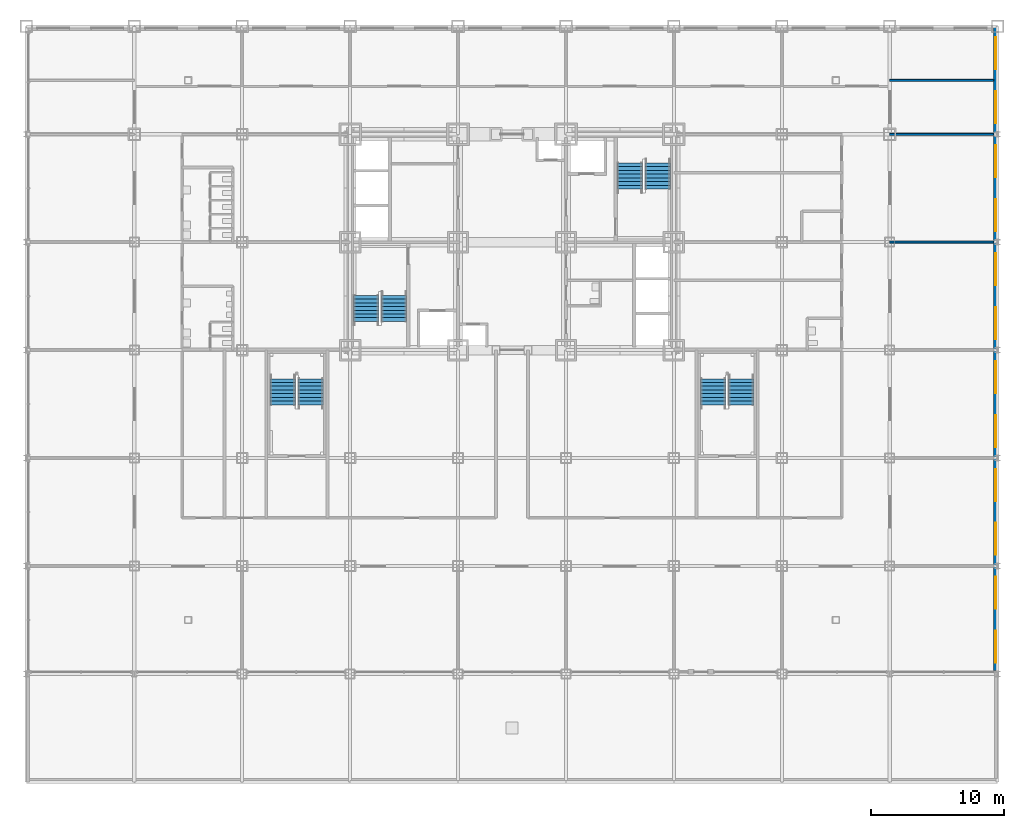
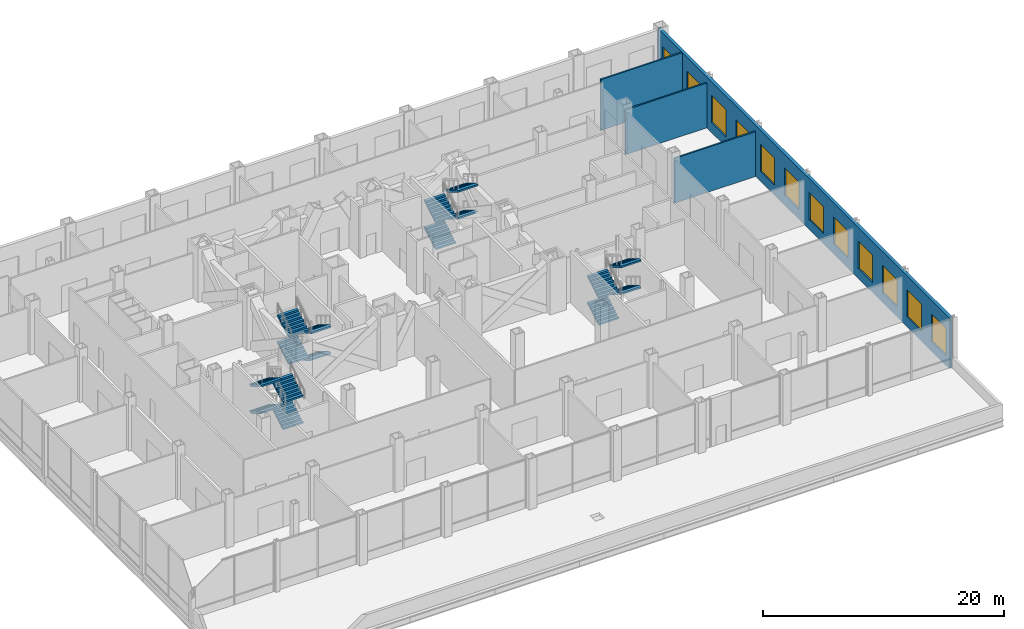
# One storey, part 26 of 29: 16 stair flights, 12 windows, 4 walls, 12 openings, 4 elements without a shape of their own.
"""IFC4 building model written with IfcOpenShell, lengths in metres."""

from ifc_helpers import new_model, si_unit, direction, frame, frame_2d, origin, place, context, subcontext, project, spatial, rectangle, extrude, polygons, source, transform, mapped, material, layer, layer_set, type_object, element, fill, aggregate, save


model = new_model("IFC4")

# Units and contexts
model_context = context("Model", 3, precision=1e-05, world=origin(), true_north=direction((0.0, 1.0)))
body_context = subcontext(model_context, "Body", "Model", "MODEL_VIEW")
ifc_project = project(units=[si_unit("LENGTHUNIT", "METRE"), si_unit("AREAUNIT", "SQUARE_METRE"), si_unit("VOLUMEUNIT", "CUBIC_METRE"), si_unit("PLANEANGLEUNIT", "RADIAN"), si_unit("MASSUNIT", "GRAM", prefix="KILO")], contexts=[model_context])

# Site, building, storey
site_placement = place(None, origin())
site = spatial("IfcSite", under=ifc_project, at=site_placement, CompositionType="ELEMENT")
building_placement = place(site_placement, origin())
building = spatial("IfcBuilding", under=site, at=building_placement, Name="Kopane Lantern Tower", CompositionType="ELEMENT")
storey_placement = place(building_placement, frame((0.0, 0.0, 11.39990234375)))
storey = spatial("IfcBuildingStorey", under=building, at=storey_placement, Name="L02", CompositionType="ELEMENT", Elevation=11.39990234375)

# Walls
ifc_material_1 = material(Name="Gypsum board on steel studs", Category="steel")
ifc_layer_1 = layer(ifc_material_1, 0.14990234375)
ifc_layer_set_1 = layer_set([ifc_layer_1], Name="DEMISING WALL 150 EI 60")
wall_type_1 = type_object("IfcWallType", Name="DEMISING WALL 150 EI 60", PredefinedType="PARTITIONING", material=ifc_layer_set_1)
for number, where, z_axis, x_axis, name in (
    (1, (56.699951171875, 32.39990234375, 0.0), (0.0, 0.0, 1.0), (1.0, 0.0, 0.0), "Demising Wall 150 Ei 60 L02"),
    (2, (56.699951171875, 40.5, 0.0), (0.0, 0.0, 1.0), (1.0, 0.0, 0.0), "Demising Wall 150 Ei 60 L02"),
):
    element("IfcWall", number, at=place(storey_placement, frame(where, z_axis=z_axis, x_axis=x_axis)), inside=storey, type_object=wall_type_1, Name=name, PredefinedType="PARTITIONING", context=body_context, shape_type="SweptSolid", body=[
        extrude(rectangle(XDim=7.800048828125, YDim=0.14990234375, at=frame_2d((3.89990234375, 0.0))), origin(), (0.0, 0.0, 1.0), 4.537841796875),
    ])
wall_1_placement = place(storey_placement, frame((56.699951171875, 44.550048828125, 0.0), z_axis=(0.0, 0.0, 1.0), x_axis=(1.0, 0.0, 0.0)))
element("IfcWall", 3, at=wall_1_placement, inside=storey, type_object=wall_type_1, Name="Demising Wall 150 Ei 60 L02", PredefinedType="PARTITIONING", context=body_context, shape_type="SweptSolid", body=[
    extrude(rectangle(XDim=7.800048828125, YDim=0.14990234375, at=frame_2d((3.89990234375, 0.0))), origin(), (0.0, 0.0, 1.0), 5.150146484375),
])

# Wall, openings, windows
ifc_material_2 = material(Name="Terracotta rainscreen on light steel framing", Category="masonry")
ifc_layer_2 = layer(ifc_material_2, 0.300048828125)
ifc_layer_set_2 = layer_set([ifc_layer_2], Name="EXTERNAL WALL EW1 300 TERRACOTTA")
wall_type_2 = type_object("IfcWallType", Name="EXTERNAL WALL EW1 300 TERRACOTTA", PredefinedType="SOLIDWALL", material=ifc_layer_set_2)
wall_2_placement = place(storey_placement, frame((64.64990234375, 0.239990234375, 0.0), z_axis=(0.0, 0.0, 1.0), x_axis=(0.0, 1.0, 0.0)))
wall_2 = element("IfcWall", 4, at=wall_2_placement, inside=storey, type_object=wall_type_2, Name="External wall E L02", PredefinedType="SOLIDWALL", context=body_context, shape_type="SweptSolid", body=[
    extrude(rectangle(XDim=48.360107421875, YDim=0.300048828125, at=frame_2d((24.18017578125, 0.0))), origin(), (0.0, 0.0, 1.0), 5.150146484375),
])
opening_1_placement = place(wall_2_placement, frame((0.5849609375, 0.0, 1.0)))
opening_1 = element("IfcOpeningElement", 5, at=opening_1_placement, cuts=wall_2, Name="Opening WP240275", PredefinedType="OPENING", context=body_context, shape_type="SweptSolid", body=[
    extrude(rectangle(XDim=2.39990234375, YDim=2.75, at=frame_2d((1.199951171875, 1.375))), frame((0.0, 0.159912109375, 0.0), z_axis=(0.0, -1.0, 0.0), x_axis=(1.0, 0.0, 0.0)), (0.0, 0.0, 1.0), 0.320068359375),
])
opening_2_placement = place(wall_2_placement, frame((4.635009765625, 0.0, 1.0)))
opening_2 = element("IfcOpeningElement", 6, at=opening_2_placement, cuts=wall_2, Name="Opening WP240275", PredefinedType="OPENING", context=body_context, shape_type="SweptSolid", body=[
    extrude(rectangle(XDim=2.39990234375, YDim=2.75, at=frame_2d((1.199951171875, 1.375))), frame((0.0, 0.159912109375, 0.0), z_axis=(0.0, -1.0, 0.0), x_axis=(1.0, 0.0, 0.0)), (0.0, 0.0, 1.0), 0.320068359375),
])
opening_3_placement = place(wall_2_placement, frame((8.68505859375, 0.0, 1.0)))
opening_3 = element("IfcOpeningElement", 7, at=opening_3_placement, cuts=wall_2, Name="Opening WP240275", PredefinedType="OPENING", context=body_context, shape_type="SweptSolid", body=[
    extrude(rectangle(XDim=2.39990234375, YDim=2.75, at=frame_2d((1.199951171875, 1.375))), frame((0.0, 0.159912109375, 0.0), z_axis=(0.0, -1.0, 0.0), x_axis=(1.0, 0.0, 0.0)), (0.0, 0.0, 1.0), 0.320068359375),
])
opening_4_placement = place(wall_2_placement, frame((12.735107421875, 0.0, 1.0)))
opening_4 = element("IfcOpeningElement", 8, at=opening_4_placement, cuts=wall_2, Name="Opening WP240275", PredefinedType="OPENING", context=body_context, shape_type="SweptSolid", body=[
    extrude(rectangle(XDim=2.39990234375, YDim=2.75, at=frame_2d((1.199951171875, 1.375))), frame((0.0, 0.159912109375, 0.0), z_axis=(0.0, -1.0, 0.0), x_axis=(1.0, 0.0, 0.0)), (0.0, 0.0, 1.0), 0.320068359375),
])
opening_5_placement = place(wall_2_placement, frame((16.784912109375, 0.0, 1.0)))
opening_5 = element("IfcOpeningElement", 9, at=opening_5_placement, cuts=wall_2, Name="Opening WP240275", PredefinedType="OPENING", context=body_context, shape_type="SweptSolid", body=[
    extrude(rectangle(XDim=2.39990234375, YDim=2.75, at=frame_2d((1.199951171875, 1.375))), frame((0.0, 0.159912109375, 0.0), z_axis=(0.0, -1.0, 0.0), x_axis=(1.0, 0.0, 0.0)), (0.0, 0.0, 1.0), 0.320068359375),
])
opening_6_placement = place(wall_2_placement, frame((20.8349609375, 0.0, 1.0)))
opening_6 = element("IfcOpeningElement", 10, at=opening_6_placement, cuts=wall_2, Name="Opening WP240275", PredefinedType="OPENING", context=body_context, shape_type="SweptSolid", body=[
    extrude(rectangle(XDim=2.39990234375, YDim=2.75, at=frame_2d((1.199951171875, 1.375))), frame((0.0, 0.159912109375, 0.0), z_axis=(0.0, -1.0, 0.0), x_axis=(1.0, 0.0, 0.0)), (0.0, 0.0, 1.0), 0.320068359375),
])
opening_7_placement = place(wall_2_placement, frame((24.885009765625, 0.0, 1.0)))
opening_7 = element("IfcOpeningElement", 11, at=opening_7_placement, cuts=wall_2, Name="Opening WP240275", PredefinedType="OPENING", context=body_context, shape_type="SweptSolid", body=[
    extrude(rectangle(XDim=2.39990234375, YDim=2.75, at=frame_2d((1.199951171875, 1.375))), frame((0.0, 0.159912109375, 0.0), z_axis=(0.0, -1.0, 0.0), x_axis=(1.0, 0.0, 0.0)), (0.0, 0.0, 1.0), 0.320068359375),
])
opening_8_placement = place(wall_2_placement, frame((28.93505859375, 0.0, 1.0)))
opening_8 = element("IfcOpeningElement", 12, at=opening_8_placement, cuts=wall_2, Name="Opening WP240275", PredefinedType="OPENING", context=body_context, shape_type="SweptSolid", body=[
    extrude(rectangle(XDim=2.39990234375, YDim=2.75, at=frame_2d((1.199951171875, 1.375))), frame((0.0, 0.159912109375, 0.0), z_axis=(0.0, -1.0, 0.0), x_axis=(1.0, 0.0, 0.0)), (0.0, 0.0, 1.0), 0.320068359375),
])
opening_9_placement = place(wall_2_placement, frame((32.985107421875, 0.0, 1.0)))
opening_9 = element("IfcOpeningElement", 13, at=opening_9_placement, cuts=wall_2, Name="Opening WP240275", PredefinedType="OPENING", context=body_context, shape_type="SweptSolid", body=[
    extrude(rectangle(XDim=2.39990234375, YDim=2.75, at=frame_2d((1.199951171875, 1.375))), frame((0.0, 0.159912109375, 0.0), z_axis=(0.0, -1.0, 0.0), x_axis=(1.0, 0.0, 0.0)), (0.0, 0.0, 1.0), 0.320068359375),
])
opening_10_placement = place(wall_2_placement, frame((37.034912109375, 0.0, 1.0)))
opening_10 = element("IfcOpeningElement", 14, at=opening_10_placement, cuts=wall_2, Name="Opening WP240275", PredefinedType="OPENING", context=body_context, shape_type="SweptSolid", body=[
    extrude(rectangle(XDim=2.39990234375, YDim=2.75, at=frame_2d((1.199951171875, 1.375))), frame((0.0, 0.159912109375, 0.0), z_axis=(0.0, -1.0, 0.0), x_axis=(1.0, 0.0, 0.0)), (0.0, 0.0, 1.0), 0.320068359375),
])
opening_11_placement = place(wall_2_placement, frame((41.0849609375, 0.0, 1.0)))
opening_11 = element("IfcOpeningElement", 15, at=opening_11_placement, cuts=wall_2, Name="Opening WP240275", PredefinedType="OPENING", context=body_context, shape_type="SweptSolid", body=[
    extrude(rectangle(XDim=2.39990234375, YDim=2.75, at=frame_2d((1.199951171875, 1.375))), frame((0.0, 0.159912109375, 0.0), z_axis=(0.0, -1.0, 0.0), x_axis=(1.0, 0.0, 0.0)), (0.0, 0.0, 1.0), 0.320068359375),
])
opening_12_placement = place(wall_2_placement, frame((45.135009765625, 0.0, 1.0)))
opening_12 = element("IfcOpeningElement", 16, at=opening_12_placement, cuts=wall_2, Name="Opening WP240275", PredefinedType="OPENING", context=body_context, shape_type="SweptSolid", body=[
    extrude(rectangle(XDim=2.39990234375, YDim=2.75, at=frame_2d((1.199951171875, 1.375))), frame((0.0, 0.159912109375, 0.0), z_axis=(0.0, -1.0, 0.0), x_axis=(1.0, 0.0, 0.0)), (0.0, 0.0, 1.0), 0.320068359375),
])
ifc_material_3 = material(Name="Aluminium and clear glass", Category="aluminium")
window_type = type_object("IfcWindowType", Name="WINDOW WP240275 2400x2750", PartitioningType="SINGLE_PANEL", PredefinedType="WINDOW", material=ifc_material_3)
window_1_placement = place(opening_1_placement, origin())
window_1 = element("IfcWindow", 17, at=window_1_placement, inside=storey, type_object=window_type, Name="Window E L02", OverallHeight=2.75, OverallWidth=2.39990234375, PartitioningType="SINGLE_PANEL", PredefinedType="WINDOW", context=body_context, shape_type="SweptSolid", body=[
    extrude(rectangle(XDim=2.39990234375, YDim=2.75, at=frame_2d((1.199951171875, 1.375))), frame((0.0, 0.030029296875, 0.0), z_axis=(0.0, -1.0, 0.0), x_axis=(1.0, 0.0, 0.0)), (0.0, 0.0, 1.0), 0.06005859375),
])
fill(opening_1, window_1)
window_2_placement = place(opening_2_placement, origin())
window_2 = element("IfcWindow", 18, at=window_2_placement, inside=storey, type_object=window_type, Name="Window E L02", OverallHeight=2.75, OverallWidth=2.39990234375, PartitioningType="SINGLE_PANEL", PredefinedType="WINDOW", context=body_context, shape_type="SweptSolid", body=[
    extrude(rectangle(XDim=2.39990234375, YDim=2.75, at=frame_2d((1.199951171875, 1.375))), frame((0.0, 0.030029296875, 0.0), z_axis=(0.0, -1.0, 0.0), x_axis=(1.0, 0.0, 0.0)), (0.0, 0.0, 1.0), 0.06005859375),
])
fill(opening_2, window_2)
window_3_placement = place(opening_3_placement, origin())
window_3 = element("IfcWindow", 19, at=window_3_placement, inside=storey, type_object=window_type, Name="Window E L02", OverallHeight=2.75, OverallWidth=2.39990234375, PartitioningType="SINGLE_PANEL", PredefinedType="WINDOW", context=body_context, shape_type="SweptSolid", body=[
    extrude(rectangle(XDim=2.39990234375, YDim=2.75, at=frame_2d((1.199951171875, 1.375))), frame((0.0, 0.030029296875, 0.0), z_axis=(0.0, -1.0, 0.0), x_axis=(1.0, 0.0, 0.0)), (0.0, 0.0, 1.0), 0.06005859375),
])
fill(opening_3, window_3)
window_4_placement = place(opening_4_placement, origin())
window_4 = element("IfcWindow", 20, at=window_4_placement, inside=storey, type_object=window_type, Name="Window E L02", OverallHeight=2.75, OverallWidth=2.39990234375, PartitioningType="SINGLE_PANEL", PredefinedType="WINDOW", context=body_context, shape_type="SweptSolid", body=[
    extrude(rectangle(XDim=2.39990234375, YDim=2.75, at=frame_2d((1.199951171875, 1.375))), frame((0.0, 0.030029296875, 0.0), z_axis=(0.0, -1.0, 0.0), x_axis=(1.0, 0.0, 0.0)), (0.0, 0.0, 1.0), 0.06005859375),
])
fill(opening_4, window_4)
window_5_placement = place(opening_5_placement, origin())
window_5 = element("IfcWindow", 21, at=window_5_placement, inside=storey, type_object=window_type, Name="Window E L02", OverallHeight=2.75, OverallWidth=2.39990234375, PartitioningType="SINGLE_PANEL", PredefinedType="WINDOW", context=body_context, shape_type="SweptSolid", body=[
    extrude(rectangle(XDim=2.39990234375, YDim=2.75, at=frame_2d((1.199951171875, 1.375))), frame((0.0, 0.030029296875, 0.0), z_axis=(0.0, -1.0, 0.0), x_axis=(1.0, 0.0, 0.0)), (0.0, 0.0, 1.0), 0.06005859375),
])
fill(opening_5, window_5)
window_6_placement = place(opening_6_placement, origin())
window_6 = element("IfcWindow", 22, at=window_6_placement, inside=storey, type_object=window_type, Name="Window E L02", OverallHeight=2.75, OverallWidth=2.39990234375, PartitioningType="SINGLE_PANEL", PredefinedType="WINDOW", context=body_context, shape_type="SweptSolid", body=[
    extrude(rectangle(XDim=2.39990234375, YDim=2.75, at=frame_2d((1.199951171875, 1.375))), frame((0.0, 0.030029296875, 0.0), z_axis=(0.0, -1.0, 0.0), x_axis=(1.0, 0.0, 0.0)), (0.0, 0.0, 1.0), 0.06005859375),
])
fill(opening_6, window_6)
window_7_placement = place(opening_7_placement, origin())
window_7 = element("IfcWindow", 23, at=window_7_placement, inside=storey, type_object=window_type, Name="Window E L02", OverallHeight=2.75, OverallWidth=2.39990234375, PartitioningType="SINGLE_PANEL", PredefinedType="WINDOW", context=body_context, shape_type="SweptSolid", body=[
    extrude(rectangle(XDim=2.39990234375, YDim=2.75, at=frame_2d((1.199951171875, 1.375))), frame((0.0, 0.030029296875, 0.0), z_axis=(0.0, -1.0, 0.0), x_axis=(1.0, 0.0, 0.0)), (0.0, 0.0, 1.0), 0.06005859375),
])
fill(opening_7, window_7)
window_8_placement = place(opening_8_placement, origin())
window_8 = element("IfcWindow", 24, at=window_8_placement, inside=storey, type_object=window_type, Name="Window E L02", OverallHeight=2.75, OverallWidth=2.39990234375, PartitioningType="SINGLE_PANEL", PredefinedType="WINDOW", context=body_context, shape_type="SweptSolid", body=[
    extrude(rectangle(XDim=2.39990234375, YDim=2.75, at=frame_2d((1.199951171875, 1.375))), frame((0.0, 0.030029296875, 0.0), z_axis=(0.0, -1.0, 0.0), x_axis=(1.0, 0.0, 0.0)), (0.0, 0.0, 1.0), 0.06005859375),
])
fill(opening_8, window_8)
window_9_placement = place(opening_9_placement, origin())
window_9 = element("IfcWindow", 25, at=window_9_placement, inside=storey, type_object=window_type, Name="Window E L02", OverallHeight=2.75, OverallWidth=2.39990234375, PartitioningType="SINGLE_PANEL", PredefinedType="WINDOW", context=body_context, shape_type="SweptSolid", body=[
    extrude(rectangle(XDim=2.39990234375, YDim=2.75, at=frame_2d((1.199951171875, 1.375))), frame((0.0, 0.030029296875, 0.0), z_axis=(0.0, -1.0, 0.0), x_axis=(1.0, 0.0, 0.0)), (0.0, 0.0, 1.0), 0.06005859375),
])
fill(opening_9, window_9)
window_10_placement = place(opening_10_placement, origin())
window_10 = element("IfcWindow", 26, at=window_10_placement, inside=storey, type_object=window_type, Name="Window E L02", OverallHeight=2.75, OverallWidth=2.39990234375, PartitioningType="SINGLE_PANEL", PredefinedType="WINDOW", context=body_context, shape_type="SweptSolid", body=[
    extrude(rectangle(XDim=2.39990234375, YDim=2.75, at=frame_2d((1.199951171875, 1.375))), frame((0.0, 0.030029296875, 0.0), z_axis=(0.0, -1.0, 0.0), x_axis=(1.0, 0.0, 0.0)), (0.0, 0.0, 1.0), 0.06005859375),
])
fill(opening_10, window_10)
window_11_placement = place(opening_11_placement, origin())
window_11 = element("IfcWindow", 27, at=window_11_placement, inside=storey, type_object=window_type, Name="Window E L02", OverallHeight=2.75, OverallWidth=2.39990234375, PartitioningType="SINGLE_PANEL", PredefinedType="WINDOW", context=body_context, shape_type="SweptSolid", body=[
    extrude(rectangle(XDim=2.39990234375, YDim=2.75, at=frame_2d((1.199951171875, 1.375))), frame((0.0, 0.030029296875, 0.0), z_axis=(0.0, -1.0, 0.0), x_axis=(1.0, 0.0, 0.0)), (0.0, 0.0, 1.0), 0.06005859375),
])
fill(opening_11, window_11)
window_12_placement = place(opening_12_placement, origin())
window_12 = element("IfcWindow", 28, at=window_12_placement, inside=storey, type_object=window_type, Name="Window E L02", OverallHeight=2.75, OverallWidth=2.39990234375, PartitioningType="SINGLE_PANEL", PredefinedType="WINDOW", context=body_context, shape_type="SweptSolid", body=[
    extrude(rectangle(XDim=2.39990234375, YDim=2.75, at=frame_2d((1.199951171875, 1.375))), frame((0.0, 0.030029296875, 0.0), z_axis=(0.0, -1.0, 0.0), x_axis=(1.0, 0.0, 0.0)), (0.0, 0.0, 1.0), 0.06005859375),
])
fill(opening_12, window_12)

# Stair, stair flights
ifc_material_4 = material(Name="Steel S355JR", Category="steel")
stair_type = type_object("IfcStairType", Name="EXIT STAIR 1900 HALF TURN", PredefinedType="HALF_TURN_STAIR", material=ifc_material_4)
stair_1_placement = place(storey_placement, origin())
stair_1 = element("IfcStair", 29, at=stair_1_placement, inside=storey, type_object=stair_type, Name="Exit stair ST1 L02", PredefinedType="HALF_TURN_STAIR")
ifc_material_5 = material(Name="Steel S355JR", Category="steel")
stair_flight_type = type_object("IfcStairFlightType", Name="STAIR FLIGHT 1900 STEEL", PredefinedType="STRAIGHT", material=ifc_material_5)
shared_shape = source(origin(), body_context, "Body", "Tessellation", [
    polygons([(1.959960938, 0.949951172, 1.181152344), (1.679931641, 0.949951172, 1.181152344), (1.679931641, -0.949951172, 1.181152344), (1.959960938, -0.949951172, 1.181152344), (0.290527344, 0.949951172, 0.0), (1.959960938, 0.949951172, 1.006347656), (1.959960938, -0.949951172, 1.006347656), (0.290527344, -0.949951172, 0.0), (0.0, 0.949951172, 0.0), (0.0, -0.949951172, 0.0), (0.280029297, 0.949951172, 0.168701172), (0.0, 0.949951172, 0.168701172), (0.0, -0.949951172, 0.168701172), (0.280029297, -0.949951172, 0.168701172), (0.280029297, 0.949951172, 0.337402344), (0.280029297, -0.949951172, 0.337402344), (0.560058594, 0.949951172, 0.337402344), (0.560058594, -0.949951172, 0.337402344), (0.560058594, 0.949951172, 0.506347656), (0.560058594, -0.949951172, 0.506347656), (0.840087891, 0.949951172, 0.506347656), (0.840087891, -0.949951172, 0.506347656), (0.840087891, 0.949951172, 0.675048828), (0.840087891, -0.949951172, 0.675048828), (1.120117188, 0.949951172, 0.675048828), (1.120117188, -0.949951172, 0.675048828), (1.120117188, 0.949951172, 0.84375), (1.120117188, -0.949951172, 0.84375), (1.399902344, 0.949951172, 0.84375), (1.399902344, -0.949951172, 0.84375), (1.399902344, 0.949951172, 1.012451172), (1.399902344, -0.949951172, 1.012451172), (1.679931641, 0.949951172, 1.012451172), (1.679931641, -0.949951172, 1.012451172), (0.0, 0.0, 0.004559491), (0.0, 0.0, 0.009118982), (0.0, 0.0, 0.013678473), (0.0, 0.0, 0.018237965), (0.0, 0.0, 0.022797456), (0.0, 0.0, 0.027356947), (0.0, 0.0, 0.031916438), (0.0, 0.0, 0.036475929), (0.0, 0.0, 0.04103542), (0.0, 0.0, 0.045594911), (0.0, 0.0, 0.050154402), (0.0, 0.0, 0.054713894), (0.0, 0.0, 0.059273385), (0.0, 0.0, 0.063832876), (0.0, 0.0, 0.068392367), (0.0, 0.0, 0.072951858), (0.0, 0.0, 0.077511349), (0.0, 0.0, 0.08207084), (0.0, 0.0, 0.086630332), (0.0, 0.0, 0.091189823), (0.0, 0.0, 0.095749314), (0.0, 0.0, 0.100308805), (0.0, 0.0, 0.104868296), (0.0, 0.0, 0.109427787), (0.0, 0.0, 0.113987278), (0.0, 0.0, 0.118546769), (0.0, 0.0, 0.123106261), (0.0, 0.0, 0.127665752), (0.0, 0.0, 0.132225243), (0.0, 0.0, 0.136784734), (0.0, 0.0, 0.141344225), (0.0, 0.0, 0.145903716), (0.0, 0.0, 0.150463207), (0.0, 0.0, 0.155022698), (0.0, 0.0, 0.15958219), (0.0, 0.0, 0.164141681), (1.959960938, 0.0, 1.011072107), (1.959960938, 0.0, 1.015796558), (1.959960938, 0.0, 1.020521009), (1.959960938, 0.0, 1.02524546), (1.959960938, 0.0, 1.029969911), (1.959960938, 0.0, 1.034694362), (1.959960938, 0.0, 1.039418813), (1.959960938, 0.0, 1.044143264), (1.959960938, 0.0, 1.048867715), (1.959960938, 0.0, 1.053592166), (1.959960938, 0.0, 1.058316617), (1.959960938, 0.0, 1.063041068), (1.959960938, 0.0, 1.067765519), (1.959960938, 0.0, 1.07248997), (1.959960938, 0.0, 1.077214421), (1.959960938, 0.0, 1.081938872), (1.959960938, 0.0, 1.086663323), (1.959960938, 0.0, 1.091387774), (1.959960938, 0.0, 1.096112226), (1.959960938, 0.0, 1.100836677), (1.959960938, 0.0, 1.105561128), (1.959960938, 0.0, 1.110285579), (1.959960938, 0.0, 1.11501003), (1.959960938, 0.0, 1.119734481), (1.959960938, 0.0, 1.124458932), (1.959960938, 0.0, 1.129183383), (1.959960938, 0.0, 1.133907834), (1.959960938, 0.0, 1.138632285), (1.959960938, 0.0, 1.143356736), (1.959960938, 0.0, 1.148081187), (1.959960938, 0.0, 1.152805638), (1.959960938, 0.0, 1.157530089), (1.959960938, 0.0, 1.16225454), (1.959960938, 0.0, 1.166978991), (1.959960938, 0.0, 1.171703442), (1.959960938, 0.0, 1.176427893)], [[[1, 2, 3]], [[1, 3, 4]], [[5, 6, 7]], [[5, 7, 8]], [[9, 5, 8]], [[9, 8, 10]], [[11, 12, 13]], [[11, 13, 14]], [[15, 11, 14]], [[15, 14, 16]], [[17, 15, 16]], [[17, 16, 18]], [[19, 17, 18]], [[19, 18, 20]], [[21, 19, 20]], [[21, 20, 22]], [[23, 21, 22]], [[23, 22, 24]], [[25, 23, 24]], [[25, 24, 26]], [[27, 25, 26]], [[27, 26, 28]], [[29, 27, 28]], [[29, 28, 30]], [[31, 29, 30]], [[31, 30, 32]], [[33, 31, 32]], [[33, 32, 34]], [[2, 33, 34]], [[2, 34, 3]], [[33, 1, 6]], [[29, 33, 6]], [[2, 1, 33]], [[25, 29, 6]], [[31, 33, 29]], [[5, 21, 25]], [[27, 29, 25]], [[17, 21, 5]], [[23, 25, 21]], [[11, 17, 5]], [[19, 21, 17]], [[9, 11, 5]], [[15, 17, 11]], [[12, 11, 9]], [[6, 5, 25]], [[7, 4, 34]], [[7, 34, 30]], [[34, 4, 3]], [[7, 30, 26]], [[30, 34, 32]], [[26, 22, 8]], [[26, 30, 28]], [[8, 22, 18]], [[22, 26, 24]], [[8, 18, 14]], [[18, 22, 20]], [[8, 14, 10]], [[14, 18, 16]], [[10, 14, 13]], [[26, 8, 7]], [[10, 35, 9]], [[10, 36, 35]], [[9, 35, 36]], [[10, 37, 36]], [[9, 36, 37]], [[10, 38, 37]], [[9, 37, 38]], [[10, 39, 38]], [[9, 38, 39]], [[10, 40, 39]], [[9, 39, 40]], [[10, 41, 40]], [[9, 40, 41]], [[10, 42, 41]], [[9, 41, 42]], [[10, 43, 42]], [[9, 42, 43]], [[10, 44, 43]], [[9, 43, 44]], [[10, 45, 44]], [[9, 44, 45]], [[10, 46, 45]], [[9, 45, 46]], [[10, 47, 46]], [[9, 46, 47]], [[10, 48, 47]], [[9, 47, 48]], [[10, 49, 48]], [[9, 48, 49]], [[10, 50, 49]], [[9, 49, 50]], [[10, 51, 50]], [[9, 50, 51]], [[10, 52, 51]], [[9, 51, 52]], [[10, 53, 52]], [[9, 52, 53]], [[10, 54, 53]], [[9, 53, 54]], [[10, 55, 54]], [[9, 54, 55]], [[10, 56, 55]], [[9, 55, 56]], [[10, 57, 56]], [[9, 56, 57]], [[10, 58, 57]], [[9, 57, 58]], [[10, 59, 58]], [[9, 58, 59]], [[10, 60, 59]], [[9, 59, 60]], [[10, 61, 60]], [[9, 60, 61]], [[10, 62, 61]], [[9, 61, 62]], [[10, 63, 62]], [[9, 62, 63]], [[10, 64, 63]], [[9, 63, 64]], [[10, 65, 64]], [[9, 64, 65]], [[10, 66, 65]], [[9, 65, 66]], [[10, 67, 66]], [[9, 66, 67]], [[10, 68, 67]], [[9, 67, 68]], [[10, 69, 68]], [[9, 68, 69]], [[10, 70, 69]], [[9, 69, 70]], [[10, 13, 70]], [[70, 13, 12]], [[9, 70, 12]], [[7, 6, 71]], [[7, 71, 72]], [[6, 72, 71]], [[7, 72, 73]], [[6, 73, 72]], [[7, 73, 74]], [[6, 74, 73]], [[7, 74, 75]], [[6, 75, 74]], [[7, 75, 76]], [[6, 76, 75]], [[7, 76, 77]], [[6, 77, 76]], [[7, 77, 78]], [[6, 78, 77]], [[7, 78, 79]], [[6, 79, 78]], [[7, 79, 80]], [[6, 80, 79]], [[7, 80, 81]], [[6, 81, 80]], [[7, 81, 82]], [[6, 82, 81]], [[7, 82, 83]], [[6, 83, 82]], [[7, 83, 84]], [[6, 84, 83]], [[7, 84, 85]], [[6, 85, 84]], [[7, 85, 86]], [[6, 86, 85]], [[7, 86, 87]], [[6, 87, 86]], [[7, 87, 88]], [[6, 88, 87]], [[7, 88, 89]], [[6, 89, 88]], [[7, 89, 90]], [[6, 90, 89]], [[7, 90, 91]], [[6, 91, 90]], [[7, 91, 92]], [[6, 92, 91]], [[7, 92, 93]], [[6, 93, 92]], [[7, 93, 94]], [[6, 94, 93]], [[7, 94, 95]], [[6, 95, 94]], [[7, 95, 96]], [[6, 96, 95]], [[7, 96, 97]], [[6, 97, 96]], [[7, 97, 98]], [[6, 98, 97]], [[7, 98, 99]], [[6, 99, 98]], [[7, 99, 100]], [[6, 100, 99]], [[7, 100, 101]], [[6, 101, 100]], [[7, 101, 102]], [[6, 102, 101]], [[7, 102, 103]], [[6, 103, 102]], [[7, 103, 104]], [[6, 104, 103]], [[7, 104, 105]], [[6, 105, 104]], [[7, 105, 106]], [[6, 106, 105]], [[7, 106, 4]], [[106, 1, 4]], [[6, 1, 106]]], closed=True),
])
stair_flight_1_placement = place(storey_placement, frame((19.5, 28.409912109375, 0.0), z_axis=(0.0, 0.0, 1.0), x_axis=(0.0, -1.0, 0.0)))
stair_flight_1 = element("IfcStairFlight", 30, at=stair_flight_1_placement, type_object=stair_flight_type, Name="ST1 flight 1", NumberOfRisers=8, NumberOfTreads=7, PredefinedType="STRAIGHT", RiserHeight=0.16875, TreadLength=0.28, context=body_context, shape_type="MappedRepresentation", body=[
    mapped(shared_shape, transform((0.0, 0.0, 0.0))),
])
stair_flight_2_placement = place(storey_placement, frame((17.39990234375, 26.449951171875, 1.35009765625), z_axis=(0.0, 0.0, 1.0), x_axis=(0.0, 1.0, 0.0)))
stair_flight_2 = element("IfcStairFlight", 31, at=stair_flight_2_placement, type_object=stair_flight_type, Name="ST1 flight 2", NumberOfRisers=8, NumberOfTreads=7, PredefinedType="STRAIGHT", RiserHeight=0.16875, TreadLength=0.28, context=body_context, shape_type="MappedRepresentation", body=[
    mapped(shared_shape, transform((0.0, 0.0, 0.0))),
])
stair_flight_3_placement = place(storey_placement, frame((19.5, 28.409912109375, 2.7001953125), z_axis=(0.0, 0.0, 1.0), x_axis=(0.0, -1.0, 0.0)))
stair_flight_3 = element("IfcStairFlight", 32, at=stair_flight_3_placement, type_object=stair_flight_type, Name="ST1 flight 3", NumberOfRisers=8, NumberOfTreads=7, PredefinedType="STRAIGHT", RiserHeight=0.16875, TreadLength=0.28, context=body_context, shape_type="MappedRepresentation", body=[
    mapped(shared_shape, transform((0.0, 0.0, 0.0))),
])
stair_flight_4_placement = place(storey_placement, frame((17.39990234375, 26.449951171875, 4.050048828125), z_axis=(0.0, 0.0, 1.0), x_axis=(0.0, 1.0, 0.0)))
stair_flight_4 = element("IfcStairFlight", 33, at=stair_flight_4_placement, type_object=stair_flight_type, Name="ST1 flight 4", NumberOfRisers=8, NumberOfTreads=7, PredefinedType="STRAIGHT", RiserHeight=0.16875, TreadLength=0.28, context=body_context, shape_type="MappedRepresentation", body=[
    mapped(shared_shape, transform((0.0, 0.0, 0.0))),
])
aggregate(stair_1, [stair_flight_1, stair_flight_2, stair_flight_3, stair_flight_4])

stair_2_placement = place(storey_placement, origin())
stair_2 = element("IfcStair", 34, at=stair_2_placement, inside=storey, type_object=stair_type, Name="Exit stair ST2 L02", PredefinedType="HALF_TURN_STAIR")
stair_flight_5_placement = place(storey_placement, frame((37.199951171875, 36.389892578125, 0.0), z_axis=(0.0, 0.0, 1.0), x_axis=(0.0, 1.0, 0.0)))
stair_flight_5 = element("IfcStairFlight", 35, at=stair_flight_5_placement, type_object=stair_flight_type, Name="ST2 flight 1", NumberOfRisers=8, NumberOfTreads=7, PredefinedType="STRAIGHT", RiserHeight=0.16875, TreadLength=0.28, context=body_context, shape_type="MappedRepresentation", body=[
    mapped(shared_shape, transform((0.0, 0.0, 0.0))),
])
stair_flight_6_placement = place(storey_placement, frame((39.300048828125, 38.35009765625, 1.35009765625), z_axis=(0.0, 0.0, 1.0), x_axis=(0.0, -1.0, 0.0)))
stair_flight_6 = element("IfcStairFlight", 36, at=stair_flight_6_placement, type_object=stair_flight_type, Name="ST2 flight 2", NumberOfRisers=8, NumberOfTreads=7, PredefinedType="STRAIGHT", RiserHeight=0.16875, TreadLength=0.28, context=body_context, shape_type="MappedRepresentation", body=[
    mapped(shared_shape, transform((0.0, 0.0, 0.0))),
])
stair_flight_7_placement = place(storey_placement, frame((37.199951171875, 36.389892578125, 2.7001953125), z_axis=(0.0, 0.0, 1.0), x_axis=(0.0, 1.0, 0.0)))
stair_flight_7 = element("IfcStairFlight", 37, at=stair_flight_7_placement, type_object=stair_flight_type, Name="ST2 flight 3", NumberOfRisers=8, NumberOfTreads=7, PredefinedType="STRAIGHT", RiserHeight=0.16875, TreadLength=0.28, context=body_context, shape_type="MappedRepresentation", body=[
    mapped(shared_shape, transform((0.0, 0.0, 0.0))),
])
stair_flight_8_placement = place(storey_placement, frame((39.300048828125, 38.35009765625, 4.050048828125), z_axis=(0.0, 0.0, 1.0), x_axis=(0.0, -1.0, 0.0)))
stair_flight_8 = element("IfcStairFlight", 38, at=stair_flight_8_placement, type_object=stair_flight_type, Name="ST2 flight 4", NumberOfRisers=8, NumberOfTreads=7, PredefinedType="STRAIGHT", RiserHeight=0.16875, TreadLength=0.28, context=body_context, shape_type="MappedRepresentation", body=[
    mapped(shared_shape, transform((0.0, 0.0, 0.0))),
])
aggregate(stair_2, [stair_flight_5, stair_flight_6, stair_flight_7, stair_flight_8])

stair_3_placement = place(storey_placement, origin())
stair_3 = element("IfcStair", 39, at=stair_3_placement, inside=storey, type_object=stair_type, Name="Exit stair ST3 L02", PredefinedType="HALF_TURN_STAIR")
stair_flight_9_placement = place(storey_placement, frame((13.25, 20.18994140625, 0.0), z_axis=(0.0, 0.0, 1.0), x_axis=(0.0, 1.0, 0.0)))
stair_flight_9 = element("IfcStairFlight", 40, at=stair_flight_9_placement, type_object=stair_flight_type, Name="ST3 flight 1", NumberOfRisers=8, NumberOfTreads=7, PredefinedType="STRAIGHT", RiserHeight=0.16875, TreadLength=0.28, context=body_context, shape_type="MappedRepresentation", body=[
    mapped(shared_shape, transform((0.0, 0.0, 0.0))),
])
stair_flight_10_placement = place(storey_placement, frame((11.14990234375, 22.14990234375, 1.35009765625), z_axis=(0.0, 0.0, 1.0), x_axis=(0.0, -1.0, 0.0)))
stair_flight_10 = element("IfcStairFlight", 41, at=stair_flight_10_placement, type_object=stair_flight_type, Name="ST3 flight 2", NumberOfRisers=8, NumberOfTreads=7, PredefinedType="STRAIGHT", RiserHeight=0.16875, TreadLength=0.28, context=body_context, shape_type="MappedRepresentation", body=[
    mapped(shared_shape, transform((0.0, 0.0, 0.0))),
])
stair_flight_11_placement = place(storey_placement, frame((13.25, 20.18994140625, 2.7001953125), z_axis=(0.0, 0.0, 1.0), x_axis=(0.0, 1.0, 0.0)))
stair_flight_11 = element("IfcStairFlight", 42, at=stair_flight_11_placement, type_object=stair_flight_type, Name="ST3 flight 3", NumberOfRisers=8, NumberOfTreads=7, PredefinedType="STRAIGHT", RiserHeight=0.16875, TreadLength=0.28, context=body_context, shape_type="MappedRepresentation", body=[
    mapped(shared_shape, transform((0.0, 0.0, 0.0))),
])
stair_flight_12_placement = place(storey_placement, frame((11.14990234375, 22.14990234375, 4.050048828125), z_axis=(0.0, 0.0, 1.0), x_axis=(0.0, -1.0, 0.0)))
stair_flight_12 = element("IfcStairFlight", 43, at=stair_flight_12_placement, type_object=stair_flight_type, Name="ST3 flight 4", NumberOfRisers=8, NumberOfTreads=7, PredefinedType="STRAIGHT", RiserHeight=0.16875, TreadLength=0.28, context=body_context, shape_type="MappedRepresentation", body=[
    mapped(shared_shape, transform((0.0, 0.0, 0.0))),
])
aggregate(stair_3, [stair_flight_9, stair_flight_10, stair_flight_11, stair_flight_12])

stair_4_placement = place(storey_placement, origin())
stair_4 = element("IfcStair", 44, at=stair_4_placement, inside=storey, type_object=stair_type, Name="Exit stair ST4 L02", PredefinedType="HALF_TURN_STAIR")
stair_flight_13_placement = place(storey_placement, frame((43.449951171875, 20.18994140625, 0.0), z_axis=(0.0, 0.0, 1.0), x_axis=(0.0, 1.0, 0.0)))
stair_flight_13 = element("IfcStairFlight", 45, at=stair_flight_13_placement, type_object=stair_flight_type, Name="ST4 flight 1", NumberOfRisers=8, NumberOfTreads=7, PredefinedType="STRAIGHT", RiserHeight=0.16875, TreadLength=0.28, context=body_context, shape_type="MappedRepresentation", body=[
    mapped(shared_shape, transform((0.0, 0.0, 0.0))),
])
stair_flight_14_placement = place(storey_placement, frame((45.550048828125, 22.14990234375, 1.35009765625), z_axis=(0.0, 0.0, 1.0), x_axis=(0.0, -1.0, 0.0)))
stair_flight_14 = element("IfcStairFlight", 46, at=stair_flight_14_placement, type_object=stair_flight_type, Name="ST4 flight 2", NumberOfRisers=8, NumberOfTreads=7, PredefinedType="STRAIGHT", RiserHeight=0.16875, TreadLength=0.28, context=body_context, shape_type="MappedRepresentation", body=[
    mapped(shared_shape, transform((0.0, 0.0, 0.0))),
])
stair_flight_15_placement = place(storey_placement, frame((43.449951171875, 20.18994140625, 2.7001953125), z_axis=(0.0, 0.0, 1.0), x_axis=(0.0, 1.0, 0.0)))
stair_flight_15 = element("IfcStairFlight", 47, at=stair_flight_15_placement, type_object=stair_flight_type, Name="ST4 flight 3", NumberOfRisers=8, NumberOfTreads=7, PredefinedType="STRAIGHT", RiserHeight=0.16875, TreadLength=0.28, context=body_context, shape_type="MappedRepresentation", body=[
    mapped(shared_shape, transform((0.0, 0.0, 0.0))),
])
stair_flight_16_placement = place(storey_placement, frame((45.550048828125, 22.14990234375, 4.050048828125), z_axis=(0.0, 0.0, 1.0), x_axis=(0.0, -1.0, 0.0)))
stair_flight_16 = element("IfcStairFlight", 48, at=stair_flight_16_placement, type_object=stair_flight_type, Name="ST4 flight 4", NumberOfRisers=8, NumberOfTreads=7, PredefinedType="STRAIGHT", RiserHeight=0.16875, TreadLength=0.28, context=body_context, shape_type="MappedRepresentation", body=[
    mapped(shared_shape, transform((0.0, 0.0, 0.0))),
])
aggregate(stair_4, [stair_flight_13, stair_flight_14, stair_flight_15, stair_flight_16])

save(model, "model.ifc")
